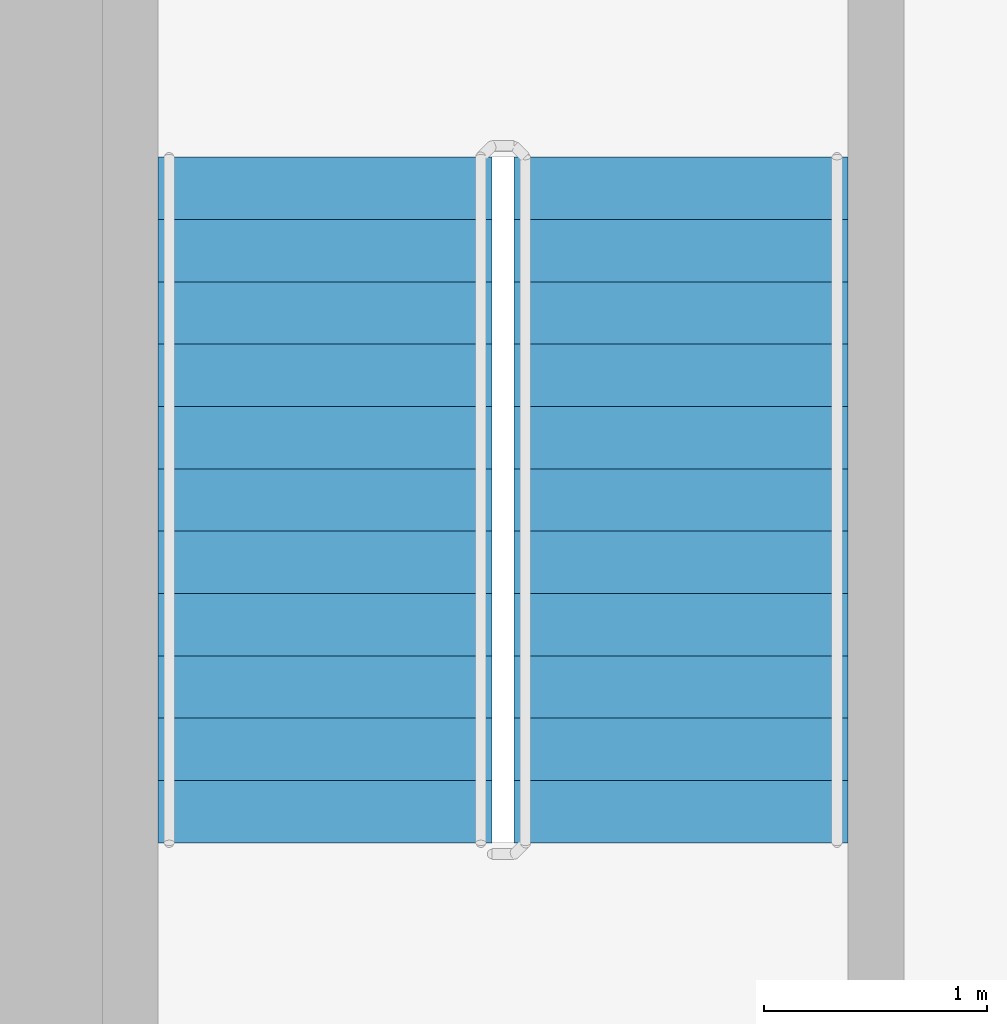
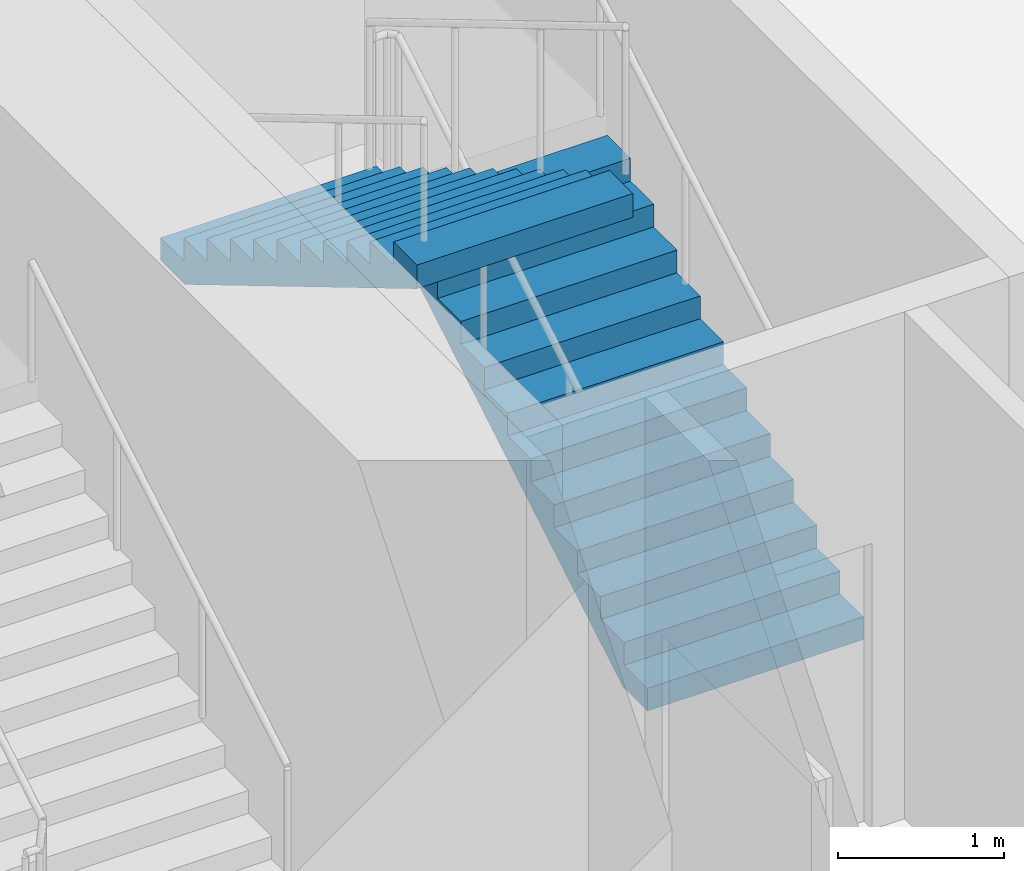
# One storey, part 18 of 20: 2 stair flights, 1 element without a shape of its own.
"""IFC4 building model written with IfcOpenShell, lengths in metres."""

from ifc_helpers import new_model, si_unit, direction, frame, origin, place, context, subcontext, project, spatial, triangles, source, transform, mapped, material, type_object, element, aggregate, save


model = new_model("IFC4")

# Units and contexts
model_context = context("Model", 3, precision=1e-05, world=origin(), true_north=direction((0.0, 1.0)))
body_context = subcontext(model_context, "Body", "Model", "MODEL_VIEW")
ifc_project = project(units=[si_unit("LENGTHUNIT", "METRE"), si_unit("AREAUNIT", "SQUARE_METRE"), si_unit("VOLUMEUNIT", "CUBIC_METRE"), si_unit("PLANEANGLEUNIT", "RADIAN"), si_unit("MASSUNIT", "GRAM", prefix="KILO")], contexts=[model_context])

# Site, building, storey
site_placement = place(None, origin())
site = spatial("IfcSite", under=ifc_project, at=site_placement, CompositionType="ELEMENT")
building_placement = place(site_placement, origin())
building = spatial("IfcBuilding", under=site, at=building_placement, Name="Kilnfold Tower and Market Hall", CompositionType="ELEMENT")
storey_placement = place(building_placement, frame((0.0, 0.0, 63.199951171875)))
storey = spatial("IfcBuildingStorey", under=building, at=storey_placement, Name="L14", CompositionType="ELEMENT", Elevation=63.199951171875)

# Stair, stair flights
ifc_material_1 = material(Name="Concrete C40/50", Category="concrete")
stair_type = type_object("IfcStairType", Name="CORE STAIR 1500", PredefinedType="HALF_TURN_STAIR", material=ifc_material_1)
stair_placement = place(storey_placement, origin())
stair = element("IfcStair", 1, at=stair_placement, inside=storey, type_object=stair_type, Name="L14 ST5", PredefinedType="HALF_TURN_STAIR")
ifc_material_2 = material(Name="Concrete C40/50", Category="concrete")
stair_flight_type = type_object("IfcStairFlightType", Name="CORE STAIR FLIGHT 1500", PredefinedType="STRAIGHT", material=ifc_material_2)
shared_shape = source(origin(), body_context, "Body", "Tessellation", [
    triangles([(0.0, 0.75, 0.0), (0.0, 0.65625, 0.0), (0.0, 0.5625, 0.0), (0.0, 0.46875, 0.0), (0.0, 0.375, 0.0), (0.0, 0.28125, 0.0), (0.0, 0.1875, 0.0), (0.0, 0.09375, 0.0), (0.0, 0.0, 0.0), (0.0, -0.09375, 0.0), (0.0, -0.1875, 0.0), (0.0, -0.28125, 0.0), (0.0, -0.375, 0.0), (0.0, -0.46875, 0.0), (0.0, -0.5625, 0.0), (0.0, -0.65625, 0.0), (0.0, -0.75, 0.0), (0.0, 0.75, 0.166748046875), (0.0, 0.65625, 0.166748046875), (0.0, 0.5625, 0.166748046875), (0.0, 0.46875, 0.166748046875), (0.0, 0.375, 0.166748046875), (0.0, 0.28125, 0.166748046875), (0.0, 0.1875, 0.166748046875), (0.0, 0.09375, 0.166748046875), (0.0, 0.0, 0.166748046875), (0.0, -0.09375, 0.166748046875), (0.0, -0.1875, 0.166748046875), (0.0, -0.28125, 0.166748046875), (0.0, -0.375, 0.166748046875), (0.0, -0.46875, 0.166748046875), (0.0, -0.5625, 0.166748046875), (0.0, -0.65625, 0.166748046875), (0.0, -0.75, 0.166748046875), (0.280029296875, 0.75, 0.166748046875), (0.280029296875, 0.65625, 0.166748046875), (0.280029296875, 0.5625, 0.166748046875), (0.280029296875, 0.46875, 0.166748046875), (0.280029296875, 0.375, 0.166748046875), (0.280029296875, 0.28125, 0.166748046875), (0.280029296875, 0.1875, 0.166748046875), (0.280029296875, 0.09375, 0.166748046875), (0.280029296875, 0.0, 0.166748046875), (0.280029296875, -0.09375, 0.166748046875), (0.280029296875, -0.1875, 0.166748046875), (0.280029296875, -0.28125, 0.166748046875), (0.280029296875, -0.375, 0.166748046875), (0.280029296875, -0.46875, 0.166748046875), (0.280029296875, -0.5625, 0.166748046875), (0.280029296875, -0.65625, 0.166748046875), (0.280029296875, -0.75, 0.166748046875), (0.280029296875, 0.75, 0.333251953125), (0.280029296875, 0.65625, 0.333251953125), (0.280029296875, 0.5625, 0.333251953125), (0.280029296875, 0.46875, 0.333251953125), (0.280029296875, 0.375, 0.333251953125), (0.280029296875, 0.28125, 0.333251953125), (0.280029296875, 0.1875, 0.333251953125), (0.280029296875, 0.09375, 0.333251953125), (0.280029296875, 0.0, 0.333251953125), (0.280029296875, -0.09375, 0.333251953125), (0.280029296875, -0.1875, 0.333251953125), (0.280029296875, -0.28125, 0.333251953125), (0.280029296875, -0.375, 0.333251953125), (0.280029296875, -0.46875, 0.333251953125), (0.280029296875, -0.5625, 0.333251953125), (0.280029296875, -0.65625, 0.333251953125), (0.280029296875, -0.75, 0.333251953125), (0.56005859375, 0.75, 0.333251953125), (0.56005859375, 0.65625, 0.333251953125), (0.56005859375, 0.5625, 0.333251953125), (0.56005859375, 0.46875, 0.333251953125), (0.56005859375, 0.375, 0.333251953125), (0.56005859375, 0.28125, 0.333251953125), (0.56005859375, 0.1875, 0.333251953125), (0.56005859375, 0.09375, 0.333251953125), (0.56005859375, 0.0, 0.333251953125), (0.56005859375, -0.09375, 0.333251953125), (0.56005859375, -0.1875, 0.333251953125), (0.56005859375, -0.28125, 0.333251953125), (0.56005859375, -0.375, 0.333251953125), (0.56005859375, -0.46875, 0.333251953125), (0.56005859375, -0.5625, 0.333251953125), (0.56005859375, -0.65625, 0.333251953125), (0.56005859375, -0.75, 0.333251953125), (0.56005859375, 0.75, 0.5), (0.56005859375, 0.65625, 0.5), (0.56005859375, 0.5625, 0.5), (0.56005859375, 0.46875, 0.5), (0.56005859375, 0.375, 0.5), (0.56005859375, 0.28125, 0.5), (0.56005859375, 0.1875, 0.5), (0.56005859375, 0.09375, 0.5), (0.56005859375, 0.0, 0.5), (0.56005859375, -0.09375, 0.5), (0.56005859375, -0.1875, 0.5), (0.56005859375, -0.28125, 0.5), (0.56005859375, -0.375, 0.5), (0.56005859375, -0.46875, 0.5), (0.56005859375, -0.5625, 0.5), (0.56005859375, -0.65625, 0.5), (0.56005859375, -0.75, 0.5), (0.840087890625, 0.75, 0.5), (0.840087890625, 0.65625, 0.5), (0.840087890625, 0.5625, 0.5), (0.840087890625, 0.46875, 0.5), (0.840087890625, 0.375, 0.5), (0.840087890625, 0.28125, 0.5), (0.840087890625, 0.1875, 0.5), (0.840087890625, 0.09375, 0.5), (0.840087890625, 0.0, 0.5), (0.840087890625, -0.09375, 0.5), (0.840087890625, -0.1875, 0.5), (0.840087890625, -0.28125, 0.5), (0.840087890625, -0.375, 0.5), (0.840087890625, -0.46875, 0.5), (0.840087890625, -0.5625, 0.5), (0.840087890625, -0.65625, 0.5), (0.840087890625, -0.75, 0.5), (0.840087890625, 0.75, 0.666748046875), (0.840087890625, 0.65625, 0.666748046875), (0.840087890625, 0.5625, 0.666748046875), (0.840087890625, 0.46875, 0.666748046875), (0.840087890625, 0.375, 0.666748046875), (0.840087890625, 0.28125, 0.666748046875), (0.840087890625, 0.1875, 0.666748046875), (0.840087890625, 0.09375, 0.666748046875), (0.840087890625, 0.0, 0.666748046875), (0.840087890625, -0.09375, 0.666748046875), (0.840087890625, -0.1875, 0.666748046875), (0.840087890625, -0.28125, 0.666748046875), (0.840087890625, -0.375, 0.666748046875), (0.840087890625, -0.46875, 0.666748046875), (0.840087890625, -0.5625, 0.666748046875), (0.840087890625, -0.65625, 0.666748046875), (0.840087890625, -0.75, 0.666748046875), (1.1201171875, 0.75, 0.666748046875), (1.1201171875, 0.65625, 0.666748046875), (1.1201171875, 0.5625, 0.666748046875), (1.1201171875, 0.46875, 0.666748046875), (1.1201171875, 0.375, 0.666748046875), (1.1201171875, 0.28125, 0.666748046875), (1.1201171875, 0.1875, 0.666748046875), (1.1201171875, 0.09375, 0.666748046875), (1.1201171875, 0.0, 0.666748046875), (1.1201171875, -0.09375, 0.666748046875), (1.1201171875, -0.1875, 0.666748046875), (1.1201171875, -0.28125, 0.666748046875), (1.1201171875, -0.375, 0.666748046875), (1.1201171875, -0.46875, 0.666748046875), (1.1201171875, -0.5625, 0.666748046875), (1.1201171875, -0.65625, 0.666748046875), (1.1201171875, -0.75, 0.666748046875), (1.1201171875, 0.75, 0.833251953125), (1.1201171875, 0.65625, 0.833251953125), (1.1201171875, 0.5625, 0.833251953125), (1.1201171875, 0.46875, 0.833251953125), (1.1201171875, 0.375, 0.833251953125), (1.1201171875, 0.28125, 0.833251953125), (1.1201171875, 0.1875, 0.833251953125), (1.1201171875, 0.09375, 0.833251953125), (1.1201171875, 0.0, 0.833251953125), (1.1201171875, -0.09375, 0.833251953125), (1.1201171875, -0.1875, 0.833251953125), (1.1201171875, -0.28125, 0.833251953125), (1.1201171875, -0.375, 0.833251953125), (1.1201171875, -0.46875, 0.833251953125), (1.1201171875, -0.5625, 0.833251953125), (1.1201171875, -0.65625, 0.833251953125), (1.1201171875, -0.75, 0.833251953125), (1.39990234375, 0.75, 0.833251953125), (1.39990234375, 0.65625, 0.833251953125), (1.39990234375, 0.5625, 0.833251953125), (1.39990234375, 0.46875, 0.833251953125), (1.39990234375, 0.375, 0.833251953125), (1.39990234375, 0.28125, 0.833251953125), (1.39990234375, 0.1875, 0.833251953125), (1.39990234375, 0.09375, 0.833251953125), (1.39990234375, 0.0, 0.833251953125), (1.39990234375, -0.09375, 0.833251953125), (1.39990234375, -0.1875, 0.833251953125), (1.39990234375, -0.28125, 0.833251953125), (1.39990234375, -0.375, 0.833251953125), (1.39990234375, -0.46875, 0.833251953125), (1.39990234375, -0.5625, 0.833251953125), (1.39990234375, -0.65625, 0.833251953125), (1.39990234375, -0.75, 0.833251953125), (1.39990234375, 0.75, 1.0), (1.39990234375, 0.65625, 1.0), (1.39990234375, 0.5625, 1.0), (1.39990234375, 0.46875, 1.0), (1.39990234375, 0.375, 1.0), (1.39990234375, 0.28125, 1.0), (1.39990234375, 0.1875, 1.0), (1.39990234375, 0.09375, 1.0), (1.39990234375, 0.0, 1.0), (1.39990234375, -0.09375, 1.0), (1.39990234375, -0.1875, 1.0), (1.39990234375, -0.28125, 1.0), (1.39990234375, -0.375, 1.0), (1.39990234375, -0.46875, 1.0), (1.39990234375, -0.5625, 1.0), (1.39990234375, -0.65625, 1.0), (1.39990234375, -0.75, 1.0), (1.679931640625, 0.75, 1.0), (1.679931640625, 0.65625, 1.0), (1.679931640625, 0.5625, 1.0), (1.679931640625, 0.46875, 1.0), (1.679931640625, 0.375, 1.0), (1.679931640625, 0.28125, 1.0), (1.679931640625, 0.1875, 1.0), (1.679931640625, 0.09375, 1.0), (1.679931640625, 0.0, 1.0), (1.679931640625, -0.09375, 1.0), (1.679931640625, -0.1875, 1.0), (1.679931640625, -0.28125, 1.0), (1.679931640625, -0.375, 1.0), (1.679931640625, -0.46875, 1.0), (1.679931640625, -0.5625, 1.0), (1.679931640625, -0.65625, 1.0), (1.679931640625, -0.75, 1.0), (1.679931640625, 0.75, 1.166748046875), (1.679931640625, 0.65625, 1.166748046875), (1.679931640625, 0.5625, 1.166748046875), (1.679931640625, 0.46875, 1.166748046875), (1.679931640625, 0.375, 1.166748046875), (1.679931640625, 0.28125, 1.166748046875), (1.679931640625, 0.1875, 1.166748046875), (1.679931640625, 0.09375, 1.166748046875), (1.679931640625, 0.0, 1.166748046875), (1.679931640625, -0.09375, 1.166748046875), (1.679931640625, -0.1875, 1.166748046875), (1.679931640625, -0.28125, 1.166748046875), (1.679931640625, -0.375, 1.166748046875), (1.679931640625, -0.46875, 1.166748046875), (1.679931640625, -0.5625, 1.166748046875), (1.679931640625, -0.65625, 1.166748046875), (1.679931640625, -0.75, 1.166748046875), (1.9599609375, 0.75, 1.166748046875), (1.9599609375, 0.65625, 1.166748046875), (1.9599609375, 0.5625, 1.166748046875), (1.9599609375, 0.46875, 1.166748046875), (1.9599609375, 0.375, 1.166748046875), (1.9599609375, 0.28125, 1.166748046875), (1.9599609375, 0.1875, 1.166748046875), (1.9599609375, 0.09375, 1.166748046875), (1.9599609375, 0.0, 1.166748046875), (1.9599609375, -0.09375, 1.166748046875), (1.9599609375, -0.1875, 1.166748046875), (1.9599609375, -0.28125, 1.166748046875), (1.9599609375, -0.375, 1.166748046875), (1.9599609375, -0.46875, 1.166748046875), (1.9599609375, -0.5625, 1.166748046875), (1.9599609375, -0.65625, 1.166748046875), (1.9599609375, -0.75, 1.166748046875), (1.9599609375, 0.75, 1.333251953125), (1.9599609375, 0.65625, 1.333251953125), (1.9599609375, 0.5625, 1.333251953125), (1.9599609375, 0.46875, 1.333251953125), (1.9599609375, 0.375, 1.333251953125), (1.9599609375, 0.28125, 1.333251953125), (1.9599609375, 0.1875, 1.333251953125), (1.9599609375, 0.09375, 1.333251953125), (1.9599609375, 0.0, 1.333251953125), (1.9599609375, -0.09375, 1.333251953125), (1.9599609375, -0.1875, 1.333251953125), (1.9599609375, -0.28125, 1.333251953125), (1.9599609375, -0.375, 1.333251953125), (1.9599609375, -0.46875, 1.333251953125), (1.9599609375, -0.5625, 1.333251953125), (1.9599609375, -0.65625, 1.333251953125), (1.9599609375, -0.75, 1.333251953125), (2.239990234375, 0.75, 1.333251953125), (2.239990234375, 0.65625, 1.333251953125), (2.239990234375, 0.5625, 1.333251953125), (2.239990234375, 0.46875, 1.333251953125), (2.239990234375, 0.375, 1.333251953125), (2.239990234375, 0.28125, 1.333251953125), (2.239990234375, 0.1875, 1.333251953125), (2.239990234375, 0.09375, 1.333251953125), (2.239990234375, 0.0, 1.333251953125), (2.239990234375, -0.09375, 1.333251953125), (2.239990234375, -0.1875, 1.333251953125), (2.239990234375, -0.28125, 1.333251953125), (2.239990234375, -0.375, 1.333251953125), (2.239990234375, -0.46875, 1.333251953125), (2.239990234375, -0.5625, 1.333251953125), (2.239990234375, -0.65625, 1.333251953125), (2.239990234375, -0.75, 1.333251953125), (2.239990234375, 0.75, 1.5), (2.239990234375, 0.65625, 1.5), (2.239990234375, 0.5625, 1.5), (2.239990234375, 0.46875, 1.5), (2.239990234375, 0.375, 1.5), (2.239990234375, 0.28125, 1.5), (2.239990234375, 0.1875, 1.5), (2.239990234375, 0.09375, 1.5), (2.239990234375, 0.0, 1.5), (2.239990234375, -0.09375, 1.5), (2.239990234375, -0.1875, 1.5), (2.239990234375, -0.28125, 1.5), (2.239990234375, -0.375, 1.5), (2.239990234375, -0.46875, 1.5), (2.239990234375, -0.5625, 1.5), (2.239990234375, -0.65625, 1.5), (2.239990234375, -0.75, 1.5), (2.52001953125, 0.75, 1.5), (2.52001953125, 0.65625, 1.5), (2.52001953125, 0.5625, 1.5), (2.52001953125, 0.46875, 1.5), (2.52001953125, 0.375, 1.5), (2.52001953125, 0.28125, 1.5), (2.52001953125, 0.1875, 1.5), (2.52001953125, 0.09375, 1.5), (2.52001953125, 0.0, 1.5), (2.52001953125, -0.09375, 1.5), (2.52001953125, -0.1875, 1.5), (2.52001953125, -0.28125, 1.5), (2.52001953125, -0.375, 1.5), (2.52001953125, -0.46875, 1.5), (2.52001953125, -0.5625, 1.5), (2.52001953125, -0.65625, 1.5), (2.52001953125, -0.75, 1.5), (2.52001953125, 0.75, 1.666748046875), (2.52001953125, 0.65625, 1.666748046875), (2.52001953125, 0.5625, 1.666748046875), (2.52001953125, 0.46875, 1.666748046875), (2.52001953125, 0.375, 1.666748046875), (2.52001953125, 0.28125, 1.666748046875), (2.52001953125, 0.1875, 1.666748046875), (2.52001953125, 0.09375, 1.666748046875), (2.52001953125, 0.0, 1.666748046875), (2.52001953125, -0.09375, 1.666748046875), (2.52001953125, -0.1875, 1.666748046875), (2.52001953125, -0.28125, 1.666748046875), (2.52001953125, -0.375, 1.666748046875), (2.52001953125, -0.46875, 1.666748046875), (2.52001953125, -0.5625, 1.666748046875), (2.52001953125, -0.65625, 1.666748046875), (2.52001953125, -0.75, 1.666748046875), (2.800048828125, 0.75, 1.666748046875), (2.800048828125, 0.65625, 1.666748046875), (2.800048828125, 0.5625, 1.666748046875), (2.800048828125, 0.46875, 1.666748046875), (2.800048828125, 0.375, 1.666748046875), (2.800048828125, 0.28125, 1.666748046875), (2.800048828125, 0.1875, 1.666748046875), (2.800048828125, 0.09375, 1.666748046875), (2.800048828125, 0.0, 1.666748046875), (2.800048828125, -0.09375, 1.666748046875), (2.800048828125, -0.1875, 1.666748046875), (2.800048828125, -0.28125, 1.666748046875), (2.800048828125, -0.375, 1.666748046875), (2.800048828125, -0.46875, 1.666748046875), (2.800048828125, -0.5625, 1.666748046875), (2.800048828125, -0.65625, 1.666748046875), (2.800048828125, -0.75, 1.666748046875), (2.800048828125, 0.75, 1.833251953125), (2.800048828125, 0.65625, 1.833251953125), (2.800048828125, 0.5625, 1.833251953125), (2.800048828125, 0.46875, 1.833251953125), (2.800048828125, 0.375, 1.833251953125), (2.800048828125, 0.28125, 1.833251953125), (2.800048828125, 0.1875, 1.833251953125), (2.800048828125, 0.09375, 1.833251953125), (2.800048828125, 0.0, 1.833251953125), (2.800048828125, -0.09375, 1.833251953125), (2.800048828125, -0.1875, 1.833251953125), (2.800048828125, -0.28125, 1.833251953125), (2.800048828125, -0.375, 1.833251953125), (2.800048828125, -0.46875, 1.833251953125), (2.800048828125, -0.5625, 1.833251953125), (2.800048828125, -0.65625, 1.833251953125), (2.800048828125, -0.75, 1.833251953125), (3.080078125, 0.75, 1.833251953125), (3.080078125, 0.65625, 1.833251953125), (3.080078125, 0.5625, 1.833251953125), (3.080078125, 0.46875, 1.833251953125), (3.080078125, 0.375, 1.833251953125), (3.080078125, 0.28125, 1.833251953125), (3.080078125, 0.1875, 1.833251953125), (3.080078125, 0.09375, 1.833251953125), (3.080078125, 0.0, 1.833251953125), (3.080078125, -0.09375, 1.833251953125), (3.080078125, -0.1875, 1.833251953125), (3.080078125, -0.28125, 1.833251953125), (3.080078125, -0.375, 1.833251953125), (3.080078125, -0.46875, 1.833251953125), (3.080078125, -0.5625, 1.833251953125), (3.080078125, -0.65625, 1.833251953125), (3.080078125, -0.75, 1.833251953125), (3.080078125, 0.75, 1.658935546875), (3.080078125, 0.65625, 1.658935546875), (3.080078125, 0.5625, 1.658935546875), (3.080078125, 0.46875, 1.658935546875), (3.080078125, 0.375, 1.658935546875), (3.080078125, 0.28125, 1.658935546875), (3.080078125, 0.1875, 1.658935546875), (3.080078125, 0.09375, 1.658935546875), (3.080078125, 0.0, 1.658935546875), (3.080078125, -0.09375, 1.658935546875), (3.080078125, -0.1875, 1.658935546875), (3.080078125, -0.28125, 1.658935546875), (3.080078125, -0.375, 1.658935546875), (3.080078125, -0.46875, 1.658935546875), (3.080078125, -0.5625, 1.658935546875), (3.080078125, -0.65625, 1.658935546875), (3.080078125, -0.75, 1.658935546875), (0.29296875, 0.75, 0.0), (0.29296875, 0.65625, 0.0), (0.29296875, 0.5625, 0.0), (0.29296875, 0.46875, 0.0), (0.29296875, 0.375, 0.0), (0.29296875, 0.28125, 0.0), (0.29296875, 0.1875, 0.0), (0.29296875, 0.09375, 0.0), (0.29296875, 0.0, 0.0), (0.29296875, -0.09375, 0.0), (0.29296875, -0.1875, 0.0), (0.29296875, -0.28125, 0.0), (0.29296875, -0.375, 0.0), (0.29296875, -0.46875, 0.0), (0.29296875, -0.5625, 0.0), (0.29296875, -0.65625, 0.0), (0.29296875, -0.75, 0.0)], [[1, 392, 409], [17, 425, 408], [392, 358, 375], [408, 391, 374], [392, 341, 358], [408, 374, 357], [392, 324, 341], [408, 357, 340], [392, 307, 324], [408, 340, 323], [307, 273, 290], [323, 306, 289], [392, 273, 307], [408, 323, 289], [273, 239, 256], [289, 272, 255], [392, 239, 273], [408, 289, 255], [239, 205, 222], [255, 238, 221], [392, 205, 239], [408, 255, 221], [205, 171, 188], [221, 204, 187], [392, 171, 205], [408, 221, 187], [171, 137, 154], [187, 170, 153], [392, 137, 171], [408, 187, 153], [137, 103, 120], [153, 136, 119], [392, 103, 137], [408, 153, 119], [103, 69, 86], [119, 102, 85], [392, 69, 103], [408, 119, 85], [1, 69, 392], [17, 408, 85], [69, 35, 52], [85, 68, 51], [1, 35, 69], [17, 85, 51], [35, 1, 18], [51, 34, 17], [1, 19, 18], [1, 2, 19], [2, 20, 19], [2, 3, 20], [3, 21, 20], [3, 4, 21], [4, 22, 21], [4, 5, 22], [5, 23, 22], [5, 6, 23], [6, 24, 23], [6, 7, 24], [7, 25, 24], [7, 8, 25], [8, 26, 25], [8, 9, 26], [9, 27, 26], [9, 10, 27], [10, 28, 27], [10, 11, 28], [11, 29, 28], [11, 12, 29], [12, 30, 29], [12, 13, 30], [13, 31, 30], [13, 14, 31], [14, 32, 31], [14, 15, 32], [15, 33, 32], [15, 16, 33], [16, 34, 33], [16, 17, 34], [18, 36, 35], [18, 19, 36], [19, 37, 36], [19, 20, 37], [20, 38, 37], [20, 21, 38], [21, 39, 38], [21, 22, 39], [22, 40, 39], [22, 23, 40], [23, 41, 40], [23, 24, 41], [24, 42, 41], [24, 25, 42], [25, 43, 42], [25, 26, 43], [26, 44, 43], [26, 27, 44], [27, 45, 44], [27, 28, 45], [28, 46, 45], [28, 29, 46], [29, 47, 46], [29, 30, 47], [30, 48, 47], [30, 31, 48], [31, 49, 48], [31, 32, 49], [32, 50, 49], [32, 33, 50], [33, 51, 50], [33, 34, 51], [35, 53, 52], [35, 36, 53], [36, 54, 53], [36, 37, 54], [37, 55, 54], [37, 38, 55], [38, 56, 55], [38, 39, 56], [39, 57, 56], [39, 40, 57], [40, 58, 57], [40, 41, 58], [41, 59, 58], [41, 42, 59], [42, 60, 59], [42, 43, 60], [43, 61, 60], [43, 44, 61], [44, 62, 61], [44, 45, 62], [45, 63, 62], [45, 46, 63], [46, 64, 63], [46, 47, 64], [47, 65, 64], [47, 48, 65], [48, 66, 65], [48, 49, 66], [49, 67, 66], [49, 50, 67], [50, 68, 67], [50, 51, 68], [52, 70, 69], [52, 53, 70], [53, 71, 70], [53, 54, 71], [54, 72, 71], [54, 55, 72], [55, 73, 72], [55, 56, 73], [56, 74, 73], [56, 57, 74], [57, 75, 74], [57, 58, 75], [58, 76, 75], [58, 59, 76], [59, 77, 76], [59, 60, 77], [60, 78, 77], [60, 61, 78], [61, 79, 78], [61, 62, 79], [62, 80, 79], [62, 63, 80], [63, 81, 80], [63, 64, 81], [64, 82, 81], [64, 65, 82], [65, 83, 82], [65, 66, 83], [66, 84, 83], [66, 67, 84], [67, 85, 84], [67, 68, 85], [69, 87, 86], [69, 70, 87], [70, 88, 87], [70, 71, 88], [71, 89, 88], [71, 72, 89], [72, 90, 89], [72, 73, 90], [73, 91, 90], [73, 74, 91], [74, 92, 91], [74, 75, 92], [75, 93, 92], [75, 76, 93], [76, 94, 93], [76, 77, 94], [77, 95, 94], [77, 78, 95], [78, 96, 95], [78, 79, 96], [79, 97, 96], [79, 80, 97], [80, 98, 97], [80, 81, 98], [81, 99, 98], [81, 82, 99], [82, 100, 99], [82, 83, 100], [83, 101, 100], [83, 84, 101], [84, 102, 101], [84, 85, 102], [86, 104, 103], [86, 87, 104], [87, 105, 104], [87, 88, 105], [88, 106, 105], [88, 89, 106], [89, 107, 106], [89, 90, 107], [90, 108, 107], [90, 91, 108], [91, 109, 108], [91, 92, 109], [92, 110, 109], [92, 93, 110], [93, 111, 110], [93, 94, 111], [94, 112, 111], [94, 95, 112], [95, 113, 112], [95, 96, 113], [96, 114, 113], [96, 97, 114], [97, 115, 114], [97, 98, 115], [98, 116, 115], [98, 99, 116], [99, 117, 116], [99, 100, 117], [100, 118, 117], [100, 101, 118], [101, 119, 118], [101, 102, 119], [103, 121, 120], [103, 104, 121], [104, 122, 121], [104, 105, 122], [105, 123, 122], [105, 106, 123], [106, 124, 123], [106, 107, 124], [107, 125, 124], [107, 108, 125], [108, 126, 125], [108, 109, 126], [109, 127, 126], [109, 110, 127], [110, 128, 127], [110, 111, 128], [111, 129, 128], [111, 112, 129], [112, 130, 129], [112, 113, 130], [113, 131, 130], [113, 114, 131], [114, 132, 131], [114, 115, 132], [115, 133, 132], [115, 116, 133], [116, 134, 133], [116, 117, 134], [117, 135, 134], [117, 118, 135], [118, 136, 135], [118, 119, 136], [120, 138, 137], [120, 121, 138], [121, 139, 138], [121, 122, 139], [122, 140, 139], [122, 123, 140], [123, 141, 140], [123, 124, 141], [124, 142, 141], [124, 125, 142], [125, 143, 142], [125, 126, 143], [126, 144, 143], [126, 127, 144], [127, 145, 144], [127, 128, 145], [128, 146, 145], [128, 129, 146], [129, 147, 146], [129, 130, 147], [130, 148, 147], [130, 131, 148], [131, 149, 148], [131, 132, 149], [132, 150, 149], [132, 133, 150], [133, 151, 150], [133, 134, 151], [134, 152, 151], [134, 135, 152], [135, 153, 152], [135, 136, 153], [137, 155, 154], [137, 138, 155], [138, 156, 155], [138, 139, 156], [139, 157, 156], [139, 140, 157], [140, 158, 157], [140, 141, 158], [141, 159, 158], [141, 142, 159], [142, 160, 159], [142, 143, 160], [143, 161, 160], [143, 144, 161], [144, 162, 161], [144, 145, 162], [145, 163, 162], [145, 146, 163], [146, 164, 163], [146, 147, 164], [147, 165, 164], [147, 148, 165], [148, 166, 165], [148, 149, 166], [149, 167, 166], [149, 150, 167], [150, 168, 167], [150, 151, 168], [151, 169, 168], [151, 152, 169], [152, 170, 169], [152, 153, 170], [154, 172, 171], [154, 155, 172], [155, 173, 172], [155, 156, 173], [156, 174, 173], [156, 157, 174], [157, 175, 174], [157, 158, 175], [158, 176, 175], [158, 159, 176], [159, 177, 176], [159, 160, 177], [160, 178, 177], [160, 161, 178], [161, 179, 178], [161, 162, 179], [162, 180, 179], [162, 163, 180], [163, 181, 180], [163, 164, 181], [164, 182, 181], [164, 165, 182], [165, 183, 182], [165, 166, 183], [166, 184, 183], [166, 167, 184], [167, 185, 184], [167, 168, 185], [168, 186, 185], [168, 169, 186], [169, 187, 186], [169, 170, 187], [171, 189, 188], [171, 172, 189], [172, 190, 189], [172, 173, 190], [173, 191, 190], [173, 174, 191], [174, 192, 191], [174, 175, 192], [175, 193, 192], [175, 176, 193], [176, 194, 193], [176, 177, 194], [177, 195, 194], [177, 178, 195], [178, 196, 195], [178, 179, 196], [179, 197, 196], [179, 180, 197], [180, 198, 197], [180, 181, 198], [181, 199, 198], [181, 182, 199], [182, 200, 199], [182, 183, 200], [183, 201, 200], [183, 184, 201], [184, 202, 201], [184, 185, 202], [185, 203, 202], [185, 186, 203], [186, 204, 203], [186, 187, 204], [188, 206, 205], [188, 189, 206], [189, 207, 206], [189, 190, 207], [190, 208, 207], [190, 191, 208], [191, 209, 208], [191, 192, 209], [192, 210, 209], [192, 193, 210], [193, 211, 210], [193, 194, 211], [194, 212, 211], [194, 195, 212], [195, 213, 212], [195, 196, 213], [196, 214, 213], [196, 197, 214], [197, 215, 214], [197, 198, 215], [198, 216, 215], [198, 199, 216], [199, 217, 216], [199, 200, 217], [200, 218, 217], [200, 201, 218], [201, 219, 218], [201, 202, 219], [202, 220, 219], [202, 203, 220], [203, 221, 220], [203, 204, 221], [205, 223, 222], [205, 206, 223], [206, 224, 223], [206, 207, 224], [207, 225, 224], [207, 208, 225], [208, 226, 225], [208, 209, 226], [209, 227, 226], [209, 210, 227], [210, 228, 227], [210, 211, 228], [211, 229, 228], [211, 212, 229], [212, 230, 229], [212, 213, 230], [213, 231, 230], [213, 214, 231], [214, 232, 231], [214, 215, 232], [215, 233, 232], [215, 216, 233], [216, 234, 233], [216, 217, 234], [217, 235, 234], [217, 218, 235], [218, 236, 235], [218, 219, 236], [219, 237, 236], [219, 220, 237], [220, 238, 237], [220, 221, 238], [222, 240, 239], [222, 223, 240], [223, 241, 240], [223, 224, 241], [224, 242, 241], [224, 225, 242], [225, 243, 242], [225, 226, 243], [226, 244, 243], [226, 227, 244], [227, 245, 244], [227, 228, 245], [228, 246, 245], [228, 229, 246], [229, 247, 246], [229, 230, 247], [230, 248, 247], [230, 231, 248], [231, 249, 248], [231, 232, 249], [232, 250, 249], [232, 233, 250], [233, 251, 250], [233, 234, 251], [234, 252, 251], [234, 235, 252], [235, 253, 252], [235, 236, 253], [236, 254, 253], [236, 237, 254], [237, 255, 254], [237, 238, 255], [239, 257, 256], [239, 240, 257], [240, 258, 257], [240, 241, 258], [241, 259, 258], [241, 242, 259], [242, 260, 259], [242, 243, 260], [243, 261, 260], [243, 244, 261], [244, 262, 261], [244, 245, 262], [245, 263, 262], [245, 246, 263], [246, 264, 263], [246, 247, 264], [247, 265, 264], [247, 248, 265], [248, 266, 265], [248, 249, 266], [249, 267, 266], [249, 250, 267], [250, 268, 267], [250, 251, 268], [251, 269, 268], [251, 252, 269], [252, 270, 269], [252, 253, 270], [253, 271, 270], [253, 254, 271], [254, 272, 271], [254, 255, 272], [256, 274, 273], [256, 257, 274], [257, 275, 274], [257, 258, 275], [258, 276, 275], [258, 259, 276], [259, 277, 276], [259, 260, 277], [260, 278, 277], [260, 261, 278], [261, 279, 278], [261, 262, 279], [262, 280, 279], [262, 263, 280], [263, 281, 280], [263, 264, 281], [264, 282, 281], [264, 265, 282], [265, 283, 282], [265, 266, 283], [266, 284, 283], [266, 267, 284], [267, 285, 284], [267, 268, 285], [268, 286, 285], [268, 269, 286], [269, 287, 286], [269, 270, 287], [270, 288, 287], [270, 271, 288], [271, 289, 288], [271, 272, 289], [273, 291, 290], [273, 274, 291], [274, 292, 291], [274, 275, 292], [275, 293, 292], [275, 276, 293], [276, 294, 293], [276, 277, 294], [277, 295, 294], [277, 278, 295], [278, 296, 295], [278, 279, 296], [279, 297, 296], [279, 280, 297], [280, 298, 297], [280, 281, 298], [281, 299, 298], [281, 282, 299], [282, 300, 299], [282, 283, 300], [283, 301, 300], [283, 284, 301], [284, 302, 301], [284, 285, 302], [285, 303, 302], [285, 286, 303], [286, 304, 303], [286, 287, 304], [287, 305, 304], [287, 288, 305], [288, 306, 305], [288, 289, 306], [290, 308, 307], [290, 291, 308], [291, 309, 308], [291, 292, 309], [292, 310, 309], [292, 293, 310], [293, 311, 310], [293, 294, 311], [294, 312, 311], [294, 295, 312], [295, 313, 312], [295, 296, 313], [296, 314, 313], [296, 297, 314], [297, 315, 314], [297, 298, 315], [298, 316, 315], [298, 299, 316], [299, 317, 316], [299, 300, 317], [300, 318, 317], [300, 301, 318], [301, 319, 318], [301, 302, 319], [302, 320, 319], [302, 303, 320], [303, 321, 320], [303, 304, 321], [304, 322, 321], [304, 305, 322], [305, 323, 322], [305, 306, 323], [307, 325, 324], [307, 308, 325], [308, 326, 325], [308, 309, 326], [309, 327, 326], [309, 310, 327], [310, 328, 327], [310, 311, 328], [311, 329, 328], [311, 312, 329], [312, 330, 329], [312, 313, 330], [313, 331, 330], [313, 314, 331], [314, 332, 331], [314, 315, 332], [315, 333, 332], [315, 316, 333], [316, 334, 333], [316, 317, 334], [317, 335, 334], [317, 318, 335], [318, 336, 335], [318, 319, 336], [319, 337, 336], [319, 320, 337], [320, 338, 337], [320, 321, 338], [321, 339, 338], [321, 322, 339], [322, 340, 339], [322, 323, 340], [324, 342, 341], [324, 325, 342], [325, 343, 342], [325, 326, 343], [326, 344, 343], [326, 327, 344], [327, 345, 344], [327, 328, 345], [328, 346, 345], [328, 329, 346], [329, 347, 346], [329, 330, 347], [330, 348, 347], [330, 331, 348], [331, 349, 348], [331, 332, 349], [332, 350, 349], [332, 333, 350], [333, 351, 350], [333, 334, 351], [334, 352, 351], [334, 335, 352], [335, 353, 352], [335, 336, 353], [336, 354, 353], [336, 337, 354], [337, 355, 354], [337, 338, 355], [338, 356, 355], [338, 339, 356], [339, 357, 356], [339, 340, 357], [341, 359, 358], [341, 342, 359], [342, 360, 359], [342, 343, 360], [343, 361, 360], [343, 344, 361], [344, 362, 361], [344, 345, 362], [345, 363, 362], [345, 346, 363], [346, 364, 363], [346, 347, 364], [347, 365, 364], [347, 348, 365], [348, 366, 365], [348, 349, 366], [349, 367, 366], [349, 350, 367], [350, 368, 367], [350, 351, 368], [351, 369, 368], [351, 352, 369], [352, 370, 369], [352, 353, 370], [353, 371, 370], [353, 354, 371], [354, 372, 371], [354, 355, 372], [355, 373, 372], [355, 356, 373], [356, 374, 373], [356, 357, 374], [358, 376, 375], [358, 359, 376], [359, 377, 376], [359, 360, 377], [360, 378, 377], [360, 361, 378], [361, 379, 378], [361, 362, 379], [362, 380, 379], [362, 363, 380], [363, 381, 380], [363, 364, 381], [364, 382, 381], [364, 365, 382], [365, 383, 382], [365, 366, 383], [366, 384, 383], [366, 367, 384], [367, 385, 384], [367, 368, 385], [368, 386, 385], [368, 369, 386], [369, 387, 386], [369, 370, 387], [370, 388, 387], [370, 371, 388], [371, 389, 388], [371, 372, 389], [372, 390, 389], [372, 373, 390], [373, 391, 390], [373, 374, 391], [375, 393, 392], [375, 376, 393], [376, 394, 393], [376, 377, 394], [377, 395, 394], [377, 378, 395], [378, 396, 395], [378, 379, 396], [379, 397, 396], [379, 380, 397], [380, 398, 397], [380, 381, 398], [381, 399, 398], [381, 382, 399], [382, 400, 399], [382, 383, 400], [383, 401, 400], [383, 384, 401], [384, 402, 401], [384, 385, 402], [385, 403, 402], [385, 386, 403], [386, 404, 403], [386, 387, 404], [387, 405, 404], [387, 388, 405], [388, 406, 405], [388, 389, 406], [389, 407, 406], [389, 390, 407], [390, 408, 407], [390, 391, 408], [392, 410, 409], [392, 393, 410], [393, 411, 410], [393, 394, 411], [394, 412, 411], [394, 395, 412], [395, 413, 412], [395, 396, 413], [396, 414, 413], [396, 397, 414], [397, 415, 414], [397, 398, 415], [398, 416, 415], [398, 399, 416], [399, 417, 416], [399, 400, 417], [400, 418, 417], [400, 401, 418], [401, 419, 418], [401, 402, 419], [402, 420, 419], [402, 403, 420], [403, 421, 420], [403, 404, 421], [404, 422, 421], [404, 405, 422], [405, 423, 422], [405, 406, 423], [406, 424, 423], [406, 407, 424], [407, 425, 424], [407, 408, 425], [409, 2, 1], [409, 410, 2], [410, 3, 2], [410, 411, 3], [411, 4, 3], [411, 412, 4], [412, 5, 4], [412, 413, 5], [413, 6, 5], [413, 414, 6], [414, 7, 6], [414, 415, 7], [415, 8, 7], [415, 416, 8], [416, 9, 8], [416, 417, 9], [417, 10, 9], [417, 418, 10], [418, 11, 10], [418, 419, 11], [419, 12, 11], [419, 420, 12], [420, 13, 12], [420, 421, 13], [421, 14, 13], [421, 422, 14], [422, 15, 14], [422, 423, 15], [423, 16, 15], [423, 424, 16], [424, 17, 16], [424, 425, 17]], closed=True),
])
stair_flight_1_placement = place(storey_placement, frame((20.699951171875, 11.5, 0.0), z_axis=(0.0, 0.0, 1.0), x_axis=(0.0, 1.0, 0.0)))
stair_flight_1 = element("IfcStairFlight", 2, at=stair_flight_1_placement, type_object=stair_flight_type, Name="ST5 flight 1", NumberOfRisers=12, NumberOfTreads=11, PredefinedType="STRAIGHT", RiserHeight=0.166666667, TreadLength=0.28, context=body_context, shape_type="MappedRepresentation", body=[
    mapped(shared_shape, transform((0.0, 0.0, 0.0))),
])
stair_flight_2_placement = place(storey_placement, frame((19.10009765625, 14.580078125, 2.0), z_axis=(0.0, 0.0, 1.0), x_axis=(0.0, -1.0, 0.0)))
stair_flight_2 = element("IfcStairFlight", 3, at=stair_flight_2_placement, type_object=stair_flight_type, Name="ST5 flight 2", NumberOfRisers=12, NumberOfTreads=11, PredefinedType="STRAIGHT", RiserHeight=0.166666667, TreadLength=0.28, context=body_context, shape_type="MappedRepresentation", body=[
    mapped(shared_shape, transform((0.0, 0.0, 0.0))),
])
aggregate(stair, [stair_flight_1, stair_flight_2])

save(model, "model.ifc")
